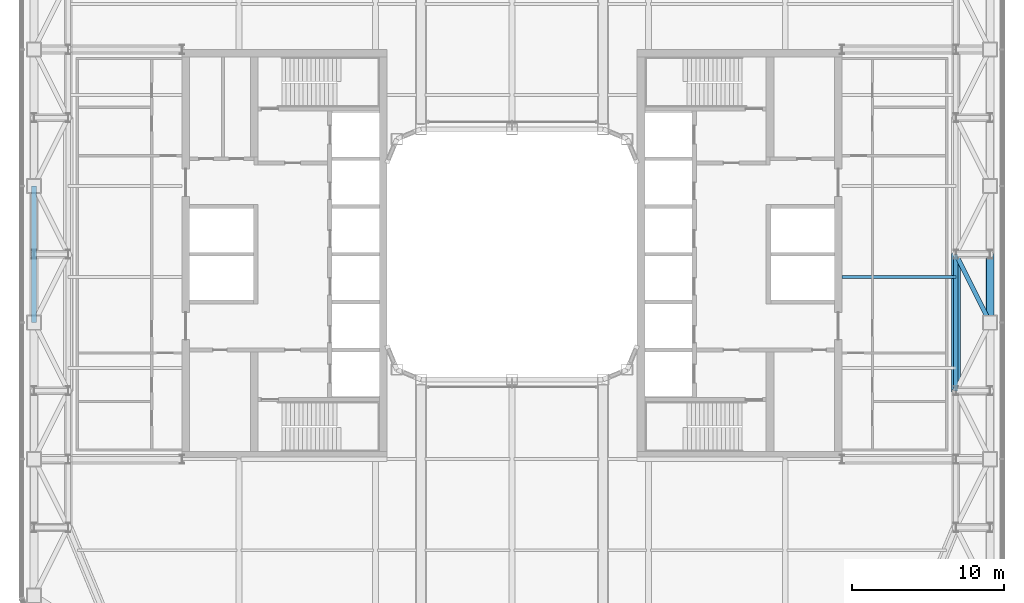
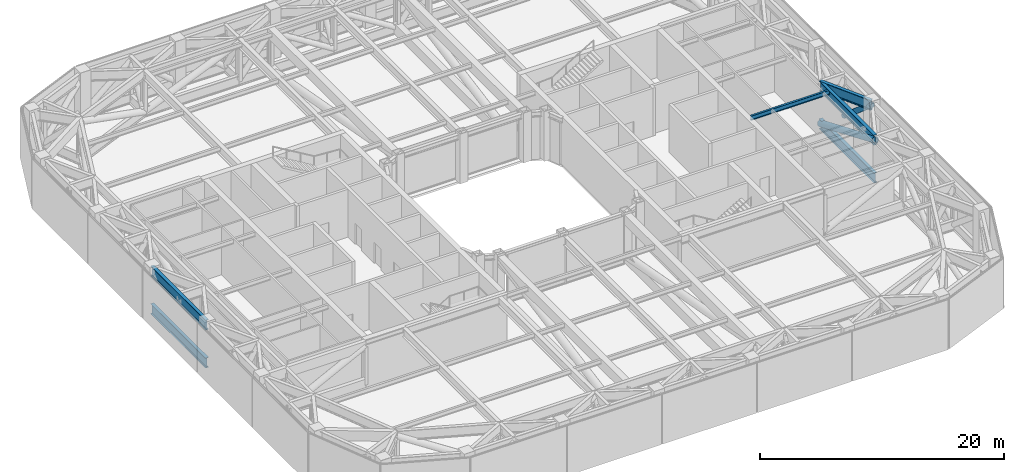
# One storey, part 7 of 33: 6 beams, 2 members.
"""IFC4 building model written with IfcOpenShell, lengths in metres."""

from ifc_helpers import new_model, si_unit, direction, frame, origin, origin_2d, place, context, subcontext, project, spatial, hollow_circle, i_section, extrude, material, material_profile, profile_set, type_object, element, save


model = new_model("IFC4")

# Units and contexts
model_context = context("Model", 3, precision=1e-05, world=origin(), true_north=direction((0.0, 1.0)))
body_context = subcontext(model_context, "Body", "Model", "MODEL_VIEW")
ifc_project = project(units=[si_unit("LENGTHUNIT", "METRE"), si_unit("AREAUNIT", "SQUARE_METRE"), si_unit("VOLUMEUNIT", "CUBIC_METRE"), si_unit("PLANEANGLEUNIT", "RADIAN"), si_unit("MASSUNIT", "GRAM", prefix="KILO")], contexts=[model_context])

# Site, building, storey
site_placement = place(None, origin())
site = spatial("IfcSite", under=ifc_project, at=site_placement, CompositionType="ELEMENT")
building_placement = place(site_placement, origin())
building = spatial("IfcBuilding", under=site, at=building_placement, Name="Siwar Civic Tower", CompositionType="ELEMENT")
storey_placement = place(building_placement, frame((0.0, 0.0, 94.199951171875)))
storey = spatial("IfcBuildingStorey", under=building, at=storey_placement, Name="L20", CompositionType="ELEMENT", Elevation=94.199951171875)

# Beams
ifc_material_1 = material(Name="Steel S460", Category="steel")
ifc_material_profile_1 = material_profile(ifc_material_1, i_section(OverallWidth=0.302001953125, OverallDepth=1.008056640625, WebThickness=0.02099609375, FlangeThickness=0.0400390625, FilletRadius=0.030029296875, at=origin_2d()), Name="HEM1000")
ifc_profile_set_1 = profile_set([ifc_material_profile_1], Name="Steel S460")
beam_type_1 = type_object("IfcBeamType", Name="STR-BELT-TRUSS-CHORD-HEM1000", PredefinedType="BEAM", material=ifc_profile_set_1)
for number, where, z_axis, x_axis, name in (
    (1, (29.25, -9.0, 0.504150390625), (0.0, 1.0, 0.0), (-1.0, 0.0, 0.0), "Belt truss chord"),
    (2, (29.25, -9.0, 4.296142578125), (0.0, 1.0, 0.0), (-1.0, 0.0, 0.0), "Belt truss chord"),
    (3, (-31.5, 4.5, 0.504150390625), (0.0, -1.0, 0.0), (1.0, 0.0, 0.0), "Belt truss chord"),
    (4, (-31.5, 4.5, 4.296142578125), (0.0, -1.0, 0.0), (1.0, 0.0, 0.0), "Belt truss chord"),
):
    element("IfcBeam", number, at=place(storey_placement, frame(where, z_axis=z_axis, x_axis=x_axis)), inside=storey, type_object=beam_type_1, Name=name, PredefinedType="BEAM", context=body_context, shape_type="SweptSolid", body=[
        extrude(i_section(OverallWidth=0.302001953125, OverallDepth=1.008056640625, WebThickness=0.02099609375, FlangeThickness=0.0400390625, FilletRadius=0.030029296875, at=origin_2d()), origin(), (0.0, 0.0, 1.0), 9.0),
    ])

# Members
ifc_material_2 = material(Name="Steel S355", Category="steel")
ifc_material_profile_2 = material_profile(ifc_material_2, hollow_circle(Radius=0.25390625, WallThickness=0.02490234375, at=origin_2d()), Name="CHS508x25")
ifc_profile_set_2 = profile_set([ifc_material_profile_2], Name="Steel S355")
member_type_1 = type_object("IfcMemberType", Name="STR-BELT-TRUSS-DIAGONAL-CHS508x25", PredefinedType="BRACE", material=ifc_profile_set_2)
member_1_placement = place(storey_placement, frame((31.5, 0.00390625, 0.500732421875), z_axis=(0.0, -0.764699580999, 0.644386957364), x_axis=(1.0, 0.0, 0.0)))
element("IfcMember", 5, at=member_1_placement, inside=storey, type_object=member_type_1, Name="Belt truss diagonal", PredefinedType="BRACE", context=body_context, shape_type="SweptSolid", body=[
    extrude(hollow_circle(Radius=0.25390625, WallThickness=0.02490234375, at=origin_2d()), origin(), (0.0, 0.0, 1.0), 5.894775390625),
])
ifc_material_3 = material(Name="Steel S355", Category="steel")
ifc_material_profile_3 = material_profile(ifc_material_3, hollow_circle(Radius=0.304931640625, WallThickness=0.030029296875, at=origin_2d()), Name="CHS610x30")
ifc_profile_set_3 = profile_set([ifc_material_profile_3], Name="Steel S355")
member_type_2 = type_object("IfcMemberType", Name="STR-BELT-TRUSS-DIAGONAL-CHS610x30", PredefinedType="BRACE", material=ifc_profile_set_3)
member_2_placement = place(storey_placement, frame((29.25, 0.004638671875, 0.502197265625), z_axis=(0.0, -0.921543214524, 0.388275808884), x_axis=(1.0, 0.0, 0.0)))
element("IfcMember", 6, at=member_2_placement, inside=storey, type_object=member_type_2, Name="Belt truss diagonal", PredefinedType="BRACE", context=body_context, shape_type="SweptSolid", body=[
    extrude(hollow_circle(Radius=0.304931640625, WallThickness=0.030029296875, at=origin_2d()), origin(), (0.0, 0.0, 1.0), 9.7763671875),
])

# Beams
ifc_material_4 = material(Name="Steel S355", Category="steel")
ifc_material_profile_4 = material_profile(ifc_material_4, i_section(OverallWidth=0.18994140625, OverallDepth=0.449951171875, WebThickness=0.009521484375, FlangeThickness=0.0146484375, FilletRadius=0.02099609375, at=origin_2d()), Name="IPE450")
ifc_profile_set_4 = profile_set([ifc_material_profile_4], Name="Steel S355")
beam_type_2 = type_object("IfcBeamType", Name="STR-FB-IPE450", PredefinedType="JOIST", material=ifc_profile_set_4)
beam_1_placement = place(storey_placement, frame((21.75, -1.5, 4.574951171875), z_axis=(1.0, 0.0, 0.0), x_axis=(0.0, 1.0, 0.0)))
element("IfcBeam", 7, at=beam_1_placement, inside=storey, type_object=beam_type_2, Name="L20/bm/F028", PredefinedType="JOIST", context=body_context, shape_type="SweptSolid", body=[
    extrude(i_section(OverallWidth=0.18994140625, OverallDepth=0.449951171875, WebThickness=0.009521484375, FlangeThickness=0.0146484375, FilletRadius=0.02099609375, at=origin_2d()), origin(), (0.0, 0.0, 1.0), 7.5),
])
ifc_material_5 = material(Name="Steel S460", Category="steel")
ifc_material_profile_5 = material_profile(ifc_material_5, i_section(OverallWidth=0.302001953125, OverallDepth=1.008056640625, WebThickness=0.02099609375, FlangeThickness=0.0400390625, FilletRadius=0.030029296875, at=origin_2d()), Name="HEM1000")
ifc_profile_set_5 = profile_set([ifc_material_profile_5], Name="Steel S460")
beam_type_3 = type_object("IfcBeamType", Name="STR-TRANSFER-GIRDER-HEM1000", PredefinedType="BEAM", material=ifc_profile_set_5)
beam_2_placement = place(storey_placement, frame((29.25, 0.0, 4.296142578125), z_axis=(0.4472135955, -0.894427191, 0.0), x_axis=(0.894427191, 0.4472135955, 0.0)))
element("IfcBeam", 8, at=beam_2_placement, inside=storey, type_object=beam_type_3, Name="Transfer girder", PredefinedType="BEAM", context=body_context, shape_type="SweptSolid", body=[
    extrude(i_section(OverallWidth=0.302001953125, OverallDepth=1.008056640625, WebThickness=0.02099609375, FlangeThickness=0.0400390625, FilletRadius=0.030029296875, at=origin_2d()), origin(), (0.0, 0.0, 1.0), 5.03125),
])

save(model, "model.ifc")
